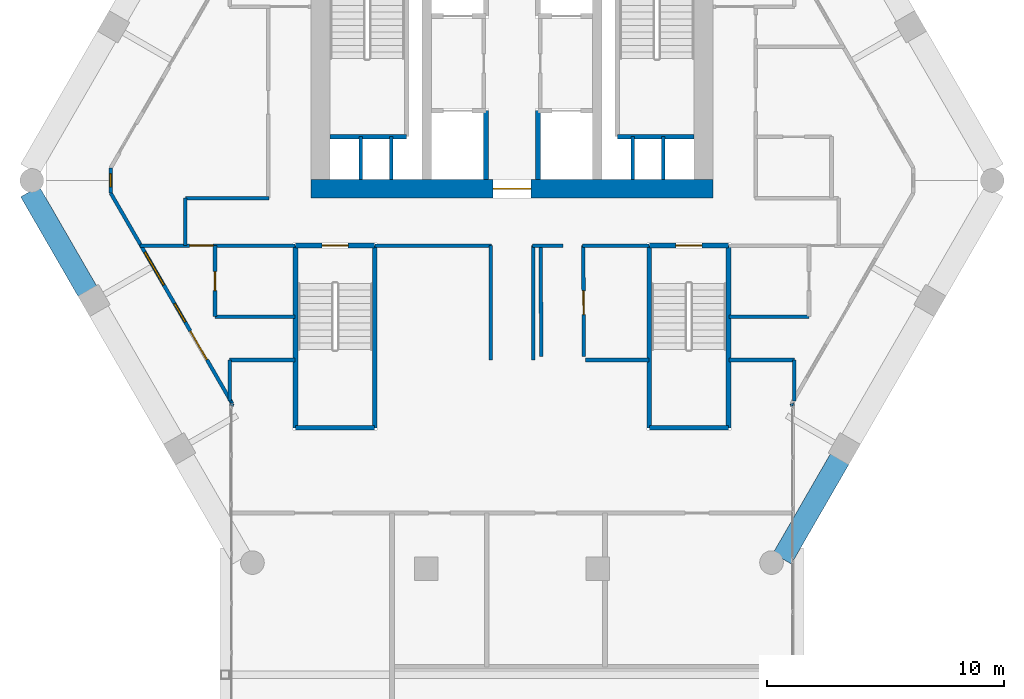
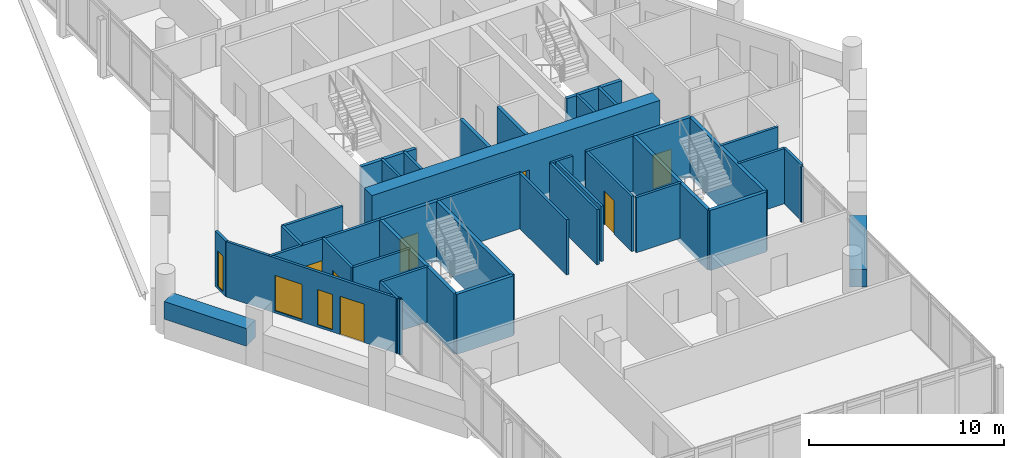
# One storey, part 32 of 38: 41 walls, 7 doors, 3 windows, 10 openings.
"""IFC4 building model written with IfcOpenShell, lengths in metres."""

from ifc_helpers import new_model, si_unit, direction, frame, frame_2d, origin, place, context, subcontext, project, spatial, rectangle, extrude, material, layer, layer_set, type_object, element, fill, save


model = new_model("IFC4")

# Units and contexts
model_context = context("Model", 3, precision=1e-05, world=origin(), true_north=direction((0.0, 1.0)))
body_context = subcontext(model_context, "Body", "Model", "MODEL_VIEW")
ifc_project = project(units=[si_unit("LENGTHUNIT", "METRE"), si_unit("AREAUNIT", "SQUARE_METRE"), si_unit("VOLUMEUNIT", "CUBIC_METRE"), si_unit("PLANEANGLEUNIT", "RADIAN"), si_unit("MASSUNIT", "GRAM", prefix="KILO")], contexts=[model_context])

# Site, building, storey
site_placement = place(None, origin())
site = spatial("IfcSite", under=ifc_project, at=site_placement, CompositionType="ELEMENT")
building_placement = place(site_placement, origin())
building = spatial("IfcBuilding", under=site, at=building_placement, Name="Ostrander Bayou Hotel Tower", CompositionType="ELEMENT")
storey_placement = place(building_placement, frame((0.0, 0.0, 194.5)))
storey = spatial("IfcBuildingStorey", under=building, at=storey_placement, Name="L48", CompositionType="ELEMENT", Elevation=194.5)

# Wall, opening, door
ifc_material_1 = material(Name="Concrete f'c 60 MPa", Category="concrete")
ifc_layer_1 = layer(ifc_material_1, 0.800048828125)
ifc_layer_set_1 = layer_set([ifc_layer_1], Name="CW7 core wall 800 mm f'c 60 MPa")
wall_type_1 = type_object("IfcWallType", Name="CW7 core wall 800 mm f'c 60 MPa", PredefinedType="SHEAR", material=ifc_layer_set_1)
wall_1_placement = place(storey_placement, frame((-8.5, -1.300048828125, -0.300048828125), z_axis=(0.0, 0.0, 1.0), x_axis=(1.0, 0.0, 0.0)))
wall_1 = element("IfcWall", 1, at=wall_1_placement, inside=storey, type_object=wall_type_1, Name="CW7 L48 S", PredefinedType="SHEAR", context=body_context, shape_type="SweptSolid", body=[
    extrude(rectangle(XDim=17.0, YDim=0.800048828125, at=frame_2d((8.5, 0.0))), origin(), (0.0, 0.0, 1.0), 3.75),
])
opening_1_placement = place(wall_1_placement, frame((7.699951171875, 0.0, 0.0)))
opening_1 = element("IfcOpeningElement", 2, at=opening_1_placement, cuts=wall_1, Name="Opening T48-005", PredefinedType="OPENING", context=body_context, shape_type="SweptSolid", body=[
    extrude(rectangle(XDim=1.60009765625, YDim=2.10009765625, at=frame_2d((0.800048828125, 1.050048828125))), frame((0.0, 0.39990234375, 0.0), z_axis=(0.0, -1.0, 0.0), x_axis=(1.0, 0.0, 0.0)), (0.0, 0.0, 1.0), 0.800048828125),
])
ifc_material_2 = material(Name="Timber door leaf", Category="wood")
door_type_1 = type_object("IfcDoorType", Name="D13 double door 1600 x 2100 mm, 1 hour", OperationType="SINGLE_SWING_LEFT", PredefinedType="DOOR", material=ifc_material_2)
door_1_placement = place(opening_1_placement, origin())
door_1 = element("IfcDoor", 3, at=door_1_placement, inside=storey, type_object=door_type_1, Name="dr:L48:005", OperationType="DOUBLE_DOOR_SINGLE_SWING", OverallHeight=2.10009765625, OverallWidth=1.60009765625, PredefinedType="DOOR", context=body_context, shape_type="SweptSolid", body=[
    extrude(rectangle(XDim=1.60009765625, YDim=2.10009765625, at=frame_2d((0.800048828125, 1.050048828125))), frame((0.0, 0.02490234375, 0.0), z_axis=(0.0, -1.0, 0.0), x_axis=(1.0, 0.0, 0.0)), (0.0, 0.0, 1.0), 0.050048828125),
])
fill(opening_1, door_1)

# Wall, openings, door, windows
ifc_material_3 = material(Name="Aluminium framed insulated wall", Category="aluminium")
ifc_layer_2 = layer(ifc_material_3, 0.14990234375)
ifc_layer_set_2 = layer_set([ifc_layer_2], Name="GW1 glass-line wall 150 mm")
wall_type_2 = type_object("IfcWallType", Name="GW1 glass-line wall 150 mm", PredefinedType="SOLIDWALL", material=ifc_layer_set_2)
wall_2_placement = place(storey_placement, frame((-16.955810546875, -1.481689453125, 0.0), z_axis=(0.0, 0.0, 1.0), x_axis=(0.499996992154, -0.866027140358, 0.0)))
wall_2 = element("IfcWall", 4, at=wall_2_placement, inside=storey, type_object=wall_type_2, Name="GW1 L48 SW 1", PredefinedType="SOLIDWALL", context=body_context, shape_type="SweptSolid", body=[
    extrude(rectangle(XDim=10.263671875, YDim=0.14990234375, at=frame_2d((5.1318359375, 0.0))), origin(), (0.0, 0.0, 1.0), 3.449951171875),
])
opening_2_placement = place(wall_2_placement, frame((2.885498046875, 0.0, 0.14990234375)))
opening_2 = element("IfcOpeningElement", 5, at=opening_2_placement, cuts=wall_2, Name="Opening W9", PredefinedType="OPENING", context=body_context, shape_type="SweptSolid", body=[
    extrude(rectangle(XDim=1.60009765625, YDim=2.199951171875, at=frame_2d((0.800048828125, 1.10009765625))), frame((0.0, 0.074951171875, 0.0), z_axis=(0.0, -1.0, 0.0), x_axis=(1.0, 0.0, 0.0)), (0.0, 0.0, 1.0), 0.14990234375),
])
opening_3_placement = place(wall_2_placement, frame((5.394775390625, 0.0, 0.14990234375)))
opening_3 = element("IfcOpeningElement", 6, at=opening_3_placement, cuts=wall_2, Name="Opening W17", PredefinedType="OPENING", context=body_context, shape_type="SweptSolid", body=[
    extrude(rectangle(XDim=0.89990234375, YDim=2.199951171875, at=frame_2d((0.449951171875, 1.10009765625))), frame((0.0, 0.074951171875, 0.0), z_axis=(0.0, -1.0, 0.0), x_axis=(1.0, 0.0, 0.0)), (0.0, 0.0, 1.0), 0.14990234375),
])
opening_4_placement = place(wall_2_placement, frame((6.72998046875, 0.0, 0.0)))
opening_4 = element("IfcOpeningElement", 7, at=opening_4_placement, cuts=wall_2, Name="Opening T48-802", PredefinedType="OPENING", context=body_context, shape_type="SweptSolid", body=[
    extrude(rectangle(XDim=1.39990234375, YDim=2.39990234375, at=frame_2d((0.699951171875, 1.199951171875))), frame((0.0, 0.074951171875, 0.0), z_axis=(0.0, -1.0, 0.0), x_axis=(1.0, 0.0, 0.0)), (0.0, 0.0, 1.0), 0.14990234375),
])
ifc_material_4 = material(Name="Aluminium and clear glass", Category="aluminium")
door_type_2 = type_object("IfcDoorType", Name="SD3 sliding glass door 1400 mm, zone 3", OperationType="SLIDING_TO_LEFT", PredefinedType="DOOR", material=ifc_material_4)
door_2_placement = place(opening_4_placement, origin())
door_2 = element("IfcDoor", 8, at=door_2_placement, inside=storey, type_object=door_type_2, Name="SD3 L48 SW 2", OperationType="SLIDING_TO_RIGHT", OverallHeight=2.39990234375, OverallWidth=1.39990234375, PredefinedType="DOOR", context=body_context, shape_type="SweptSolid", body=[
    extrude(rectangle(XDim=1.39990234375, YDim=2.39990234375, at=frame_2d((0.699951171875, 1.199951171875))), frame((0.0, 0.02490234375, 0.0), z_axis=(0.0, -1.0, 0.0), x_axis=(1.0, 0.0, 0.0)), (0.0, 0.0, 1.0), 0.050048828125),
])
fill(opening_4, door_2)
ifc_material_5 = material(Name="Aluminium and clear glass", Category="aluminium")
window_type_1 = type_object("IfcWindowType", Name="W17 window 900 mm, zone 3", PartitioningType="SINGLE_PANEL", PredefinedType="WINDOW", material=ifc_material_5)
window_1_placement = place(opening_3_placement, origin())
window_1 = element("IfcWindow", 9, at=window_1_placement, inside=storey, type_object=window_type_1, Name="W17 L48 SW 2", OverallHeight=2.199951171875, OverallWidth=0.89990234375, PartitioningType="SINGLE_PANEL", PredefinedType="WINDOW", context=body_context, shape_type="SweptSolid", body=[
    extrude(rectangle(XDim=0.89990234375, YDim=2.199951171875, at=frame_2d((0.449951171875, 1.10009765625))), frame((0.0, 0.030029296875, 0.0), z_axis=(0.0, -1.0, 0.0), x_axis=(1.0, 0.0, 0.0)), (0.0, 0.0, 1.0), 0.06005859375),
])
fill(opening_3, window_1)
ifc_material_6 = material(Name="Aluminium and clear glass", Category="aluminium")
window_type_2 = type_object("IfcWindowType", Name="W9 fixed window 1600 mm, bar storeys, zone 3", PartitioningType="SINGLE_PANEL", PredefinedType="WINDOW", material=ifc_material_6)
window_2_placement = place(opening_2_placement, origin())
window_2 = element("IfcWindow", 10, at=window_2_placement, inside=storey, type_object=window_type_2, Name="W9 L48 SW 1", OverallHeight=2.199951171875, OverallWidth=1.60009765625, PartitioningType="SINGLE_PANEL", PredefinedType="WINDOW", context=body_context, shape_type="SweptSolid", body=[
    extrude(rectangle(XDim=1.60009765625, YDim=2.199951171875, at=frame_2d((0.800048828125, 1.10009765625))), frame((0.0, 0.030029296875, 0.0), z_axis=(0.0, -1.0, 0.0), x_axis=(1.0, 0.0, 0.0)), (0.0, 0.0, 1.0), 0.06005859375),
])
fill(opening_2, window_2)

# Wall, opening, window
wall_3_placement = place(storey_placement, frame((-16.955810546875, -0.416748046875, 0.0), z_axis=(0.0, 0.0, 1.0), x_axis=(0.0, -1.0, 0.0)))
wall_3 = element("IfcWall", 11, at=wall_3_placement, inside=storey, type_object=wall_type_2, Name="GW1 L48 corner 2", PredefinedType="SOLIDWALL", context=body_context, shape_type="SweptSolid", body=[
    extrude(rectangle(XDim=1.06494140625, YDim=0.14990234375, at=frame_2d((0.532470703125, 0.0))), origin(), (0.0, 0.0, 1.0), 3.449951171875),
])
opening_5_placement = place(wall_3_placement, frame((0.257568359375, 0.0, 0.14990234375)))
opening_5 = element("IfcOpeningElement", 12, at=opening_5_placement, cuts=wall_3, Name="Opening W19", PredefinedType="OPENING", context=body_context, shape_type="SweptSolid", body=[
    extrude(rectangle(XDim=0.550048828125, YDim=2.199951171875, at=frame_2d((0.27490234375, 1.10009765625))), frame((0.0, 0.074951171875, 0.0), z_axis=(0.0, -1.0, 0.0), x_axis=(1.0, 0.0, 0.0)), (0.0, 0.0, 1.0), 0.14990234375),
])
ifc_material_7 = material(Name="Aluminium and clear glass", Category="aluminium")
window_type_3 = type_object("IfcWindowType", Name="W19 corner window 550 mm", PartitioningType="SINGLE_PANEL", PredefinedType="WINDOW", material=ifc_material_7)
window_3_placement = place(opening_5_placement, origin())
window_3 = element("IfcWindow", 13, at=window_3_placement, inside=storey, type_object=window_type_3, Name="W19 L48 corner 2", OverallHeight=2.199951171875, OverallWidth=0.550048828125, PartitioningType="SINGLE_PANEL", PredefinedType="WINDOW", context=body_context, shape_type="SweptSolid", body=[
    extrude(rectangle(XDim=0.550048828125, YDim=2.199951171875, at=frame_2d((0.27490234375, 1.10009765625))), frame((0.0, 0.030029296875, 0.0), z_axis=(0.0, -1.0, 0.0), x_axis=(1.0, 0.0, 0.0)), (0.0, 0.0, 1.0), 0.06005859375),
])
fill(opening_5, window_3)

# Walls
for number, where, z_axis, x_axis, name in (
    (14, (-11.823974609375, -10.370361328125, 0.0), (0.0, 0.0, 1.0), (-0.338543167143, -0.940950861619, 0.0), "GW1 L48 bar joint 2"),
    (15, (11.823974609375, -10.370361328125, 0.0), (0.0, 0.0, 1.0), (0.338543167143, -0.940950861619, 0.0), "GW1 L48 bar joint 3"),
):
    element("IfcWall", number, at=place(storey_placement, frame(where, z_axis=z_axis, x_axis=x_axis)), inside=storey, type_object=wall_type_2, Name=name, PredefinedType="SOLIDWALL", context=body_context, shape_type="SweptSolid", body=[
        extrude(rectangle(XDim=0.09814453125, YDim=0.14990234375, at=frame_2d((0.049072265625, 0.0))), origin(), (0.0, 0.0, 1.0), 3.449951171875),
    ])
ifc_material_8 = material(Name="Limestone masonry", Category="masonry")
ifc_layer_3 = layer(ifc_material_8, 0.89990234375)
ifc_layer_set_3 = layer_set([ifc_layer_3], Name="PA2 limestone parapet 900 mm")
wall_type_3 = type_object("IfcWallType", Name="PA2 limestone parapet 900 mm", PredefinedType="PARAPET", material=ifc_layer_set_3)
for number, where, z_axis, x_axis, name in (
    (16, (-20.36962890625, -1.4189453125, 0.0), (0.0, 0.0, 1.0), (0.500033586455, -0.866006011767, 0.0), "PA2 L48 SW-1"),
    (17, (11.41357421875, -16.93115234375, 0.0), (0.0, 0.0, 1.0), (0.499974254476, 0.866040267459, 0.0), "PA2 L48 SE-1"),
):
    element("IfcWall", number, at=place(storey_placement, frame(where, z_axis=z_axis, x_axis=x_axis)), inside=storey, type_object=wall_type_3, Name=name, PredefinedType="PARAPET", context=body_context, shape_type="SweptSolid", body=[
        extrude(rectangle(XDim=4.867919921875, YDim=0.89990234375, at=frame_2d((2.43408203125, 0.0))), origin(), (0.0, 0.0, 1.0), 1.10009765625),
    ])
ifc_material_9 = material(Name="Masonry block", Category="masonry")
ifc_layer_4 = layer(ifc_material_9, 0.199951171875)
ifc_layer_set_4 = layer_set([ifc_layer_4], Name="PT6 lift shaft wall 200 mm masonry, 2 hour")
wall_type_4 = type_object("IfcWallType", Name="PT6 lift shaft wall 200 mm masonry, 2 hour", PredefinedType="PARTITIONING", material=ifc_layer_set_4)
for number, where, z_axis, x_axis, name in (
    (18, (-1.10009765625, -0.89990234375, 0.0), (0.0, 0.0, 1.0), (0.0, 1.0, 0.0), "cs:L48:005"),
    (19, (1.10009765625, -0.89990234375, 0.0), (0.0, 0.0, 1.0), (0.0, 1.0, 0.0), "cs:L48:006"),
):
    element("IfcWall", number, at=place(storey_placement, frame(where, z_axis=z_axis, x_axis=x_axis)), inside=storey, type_object=wall_type_4, Name=name, PredefinedType="PARTITIONING", context=body_context, shape_type="SweptSolid", body=[
        extrude(rectangle(XDim=2.89990234375, YDim=0.199951171875, at=frame_2d((1.449951171875, 0.0))), origin(), (0.0, 0.0, 1.0), 3.449951171875),
    ])
ifc_material_10 = material(Name="Gypsum board partition", Category="finish")
ifc_layer_5 = layer(ifc_material_10, 0.14990234375)
ifc_layer_set_5 = layer_set([ifc_layer_5], Name="PT7 riser wall 150 mm, 2 hour")
wall_type_5 = type_object("IfcWallType", Name="PT7 riser wall 150 mm, 2 hour", PredefinedType="PARTITIONING", material=ifc_layer_set_5)
for number, where, z_axis, x_axis, name in (
    (20, (-6.39990234375, -0.89990234375, 0.0), (0.0, 0.0, 1.0), (0.0, 1.0, 0.0), "cs:L48:011"),
    (21, (-5.10009765625, -0.89990234375, 0.0), (0.0, 0.0, 1.0), (0.0, 1.0, 0.0), "cs:L48:012"),
    (22, (5.10009765625, -0.89990234375, 0.0), (0.0, 0.0, 1.0), (0.0, 1.0, 0.0), "cs:L48:015"),
    (23, (6.39990234375, -0.89990234375, 0.0), (0.0, 0.0, 1.0), (0.0, 1.0, 0.0), "cs:L48:016"),
):
    element("IfcWall", number, at=place(storey_placement, frame(where, z_axis=z_axis, x_axis=x_axis)), inside=storey, type_object=wall_type_5, Name=name, PredefinedType="PARTITIONING", context=body_context, shape_type="SweptSolid", body=[
        extrude(rectangle(XDim=1.7998046875, YDim=0.14990234375, at=frame_2d((0.89990234375, 0.0))), origin(), (0.0, 0.0, 1.0), 3.449951171875),
    ])
ifc_material_11 = material(Name="Gypsum board partition", Category="finish")
ifc_layer_6 = layer(ifc_material_11, 0.14990234375)
ifc_layer_set_6 = layer_set([ifc_layer_6], Name="PT8 service band wall 150 mm, 1 hour")
wall_type_6 = type_object("IfcWallType", Name="PT8 service band wall 150 mm, 1 hour", PredefinedType="PARTITIONING", material=ifc_layer_set_6)
wall_4_placement = place(storey_placement, frame((-11.929931640625, -8.534912109375, 0.0), z_axis=(0.0, 0.0, 1.0), x_axis=(1.0, 0.0, 0.0)))
element("IfcWall", 24, at=wall_4_placement, inside=storey, type_object=wall_type_6, Name="gw:L48:001", PredefinedType="PARTITIONING", context=body_context, shape_type="SweptSolid", body=[
    extrude(rectangle(XDim=2.77001953125, YDim=0.14990234375, at=frame_2d((1.385009765625, 0.0))), origin(), (0.0, 0.0, 1.0), 3.449951171875),
])
wall_5_placement = place(storey_placement, frame((3.114990234375, -8.534912109375, 0.0), z_axis=(0.0, 0.0, 1.0), x_axis=(1.0, 0.0, 0.0)))
element("IfcWall", 25, at=wall_5_placement, inside=storey, type_object=wall_type_6, Name="gw:L48:003", PredefinedType="PARTITIONING", context=body_context, shape_type="SweptSolid", body=[
    extrude(rectangle(XDim=2.675048828125, YDim=0.14990234375, at=frame_2d((1.33740234375, 0.0))), origin(), (0.0, 0.0, 1.0), 3.449951171875),
])
wall_6_placement = place(storey_placement, frame((9.159912109375, -8.534912109375, 0.0), z_axis=(0.0, 0.0, 1.0), x_axis=(1.0, 0.0, 0.0)))
element("IfcWall", 26, at=wall_6_placement, inside=storey, type_object=wall_type_6, Name="gw:L48:004", PredefinedType="PARTITIONING", context=body_context, shape_type="SweptSolid", body=[
    extrude(rectangle(XDim=2.77001953125, YDim=0.14990234375, at=frame_2d((1.385009765625, 0.0))), origin(), (0.0, 0.0, 1.0), 3.449951171875),
])
for number, where, z_axis, x_axis, name in (
    (27, (-12.550048828125, -6.699951171875, 0.0), (0.0, 0.0, 1.0), (1.0, 0.0, 0.0), "gw:L48:005"),
    (28, (9.159912109375, -6.699951171875, 0.0), (0.0, 0.0, 1.0), (1.0, 0.0, 0.0), "gw:L48:006"),
):
    element("IfcWall", number, at=place(storey_placement, frame(where, z_axis=z_axis, x_axis=x_axis)), inside=storey, type_object=wall_type_6, Name=name, PredefinedType="PARTITIONING", context=body_context, shape_type="SweptSolid", body=[
        extrude(rectangle(XDim=3.39013671875, YDim=0.14990234375, at=frame_2d((1.695068359375, 0.0))), origin(), (0.0, 0.0, 1.0), 3.449951171875),
    ])

# Wall, opening, door
wall_7_placement = place(storey_placement, frame((-15.72705078125, -3.699951171875, 0.0), z_axis=(0.0, 0.0, 1.0), x_axis=(1.0, 0.0, 0.0)))
wall_7 = element("IfcWall", 29, at=wall_7_placement, inside=storey, type_object=wall_type_6, Name="gw:L48:007", PredefinedType="PARTITIONING", context=body_context, shape_type="SweptSolid", body=[
    extrude(rectangle(XDim=6.567138671875, YDim=0.14990234375, at=frame_2d((3.28369140625, 0.0))), origin(), (0.0, 0.0, 1.0), 3.449951171875),
])
opening_6_placement = place(wall_7_placement, frame((2.10205078125, 0.0, 0.0)))
opening_6 = element("IfcOpeningElement", 30, at=opening_6_placement, cuts=wall_7, Name="Opening T48-400", PredefinedType="OPENING", context=body_context, shape_type="SweptSolid", body=[
    extrude(rectangle(XDim=1.0, YDim=2.10009765625, at=frame_2d((0.5, 1.050048828125))), frame((0.0, 0.074951171875, 0.0), z_axis=(0.0, -1.0, 0.0), x_axis=(1.0, 0.0, 0.0)), (0.0, 0.0, 1.0), 0.14990234375),
])
ifc_material_12 = material(Name="Timber door leaf", Category="wood")
door_type_3 = type_object("IfcDoorType", Name="D1 guest room door 1000 x 2100 mm, 30 minute", OperationType="SINGLE_SWING_LEFT", PredefinedType="DOOR", material=ifc_material_12)
door_3_placement = place(opening_6_placement, origin())
door_3 = element("IfcDoor", 31, at=door_3_placement, inside=storey, type_object=door_type_3, Name="dr:L48:400", OperationType="SINGLE_SWING_LEFT", OverallHeight=2.10009765625, OverallWidth=1.0, PredefinedType="DOOR", context=body_context, shape_type="SweptSolid", body=[
    extrude(rectangle(XDim=1.0, YDim=2.10009765625, at=frame_2d((0.5, 1.050048828125))), frame((0.0, 0.02490234375, 0.0), z_axis=(0.0, -1.0, 0.0), x_axis=(1.0, 0.0, 0.0)), (0.0, 0.0, 1.0), 0.050048828125),
])
fill(opening_6, door_3)

# Walls
wall_8_placement = place(storey_placement, frame((-5.7900390625, -3.699951171875, 0.0), z_axis=(0.0, 0.0, 1.0), x_axis=(1.0, 0.0, 0.0)))
element("IfcWall", 32, at=wall_8_placement, inside=storey, type_object=wall_type_6, Name="gw:L48:008", PredefinedType="PARTITIONING", context=body_context, shape_type="SweptSolid", body=[
    extrude(rectangle(XDim=4.929931640625, YDim=0.14990234375, at=frame_2d((2.46484375, 0.0))), origin(), (0.0, 0.0, 1.0), 3.449951171875),
])
wall_9_placement = place(storey_placement, frame((0.860107421875, -3.699951171875, 0.0), z_axis=(0.0, 0.0, 1.0), x_axis=(1.0, 0.0, 0.0)))
element("IfcWall", 33, at=wall_9_placement, inside=storey, type_object=wall_type_6, Name="gw:L48:009", PredefinedType="PARTITIONING", context=body_context, shape_type="SweptSolid", body=[
    extrude(rectangle(XDim=1.294921875, YDim=0.14990234375, at=frame_2d((0.6474609375, 0.0))), origin(), (0.0, 0.0, 1.0), 3.449951171875),
])
wall_10_placement = place(storey_placement, frame((2.97509765625, -3.699951171875, 0.0), z_axis=(0.0, 0.0, 1.0), x_axis=(1.0, 0.0, 0.0)))
element("IfcWall", 34, at=wall_10_placement, inside=storey, type_object=wall_type_6, Name="gw:L48:010", PredefinedType="PARTITIONING", context=body_context, shape_type="SweptSolid", body=[
    extrude(rectangle(XDim=2.81494140625, YDim=0.14990234375, at=frame_2d((1.407470703125, 0.0))), origin(), (0.0, 0.0, 1.0), 3.449951171875),
])
wall_11_placement = place(storey_placement, frame((-13.800048828125, -1.699951171875, 0.0), z_axis=(0.0, 0.0, 1.0), x_axis=(1.0, 0.0, 0.0)))
element("IfcWall", 35, at=wall_11_placement, inside=storey, type_object=wall_type_6, Name="gw:L48:012", PredefinedType="PARTITIONING", context=body_context, shape_type="SweptSolid", body=[
    extrude(rectangle(XDim=3.5400390625, YDim=0.14990234375, at=frame_2d((1.77001953125, 0.0))), origin(), (0.0, 0.0, 1.0), 3.449951171875),
])
wall_12_placement = place(storey_placement, frame((11.929931640625, -10.277099609375, 0.0), z_axis=(0.0, 0.0, 1.0), x_axis=(0.0, 1.0, 0.0)))
element("IfcWall", 36, at=wall_12_placement, inside=storey, type_object=wall_type_6, Name="gw:L48:021", PredefinedType="PARTITIONING", context=body_context, shape_type="SweptSolid", body=[
    extrude(rectangle(XDim=1.7421875, YDim=0.14990234375, at=frame_2d((0.87109375, 0.0))), origin(), (0.0, 0.0, 1.0), 3.449951171875),
])
for number, where, z_axis, x_axis, name in (
    (37, (0.89990234375, -8.534912109375, 0.0), (0.0, 0.0, 1.0), (0.0, 1.0, 0.0), "gw:L48:024"),
    (38, (-0.89990234375, -8.534912109375, 0.0), (0.0, 0.0, 1.0), (0.0, 1.0, 0.0), "gw:L48:025"),
):
    element("IfcWall", number, at=place(storey_placement, frame(where, z_axis=z_axis, x_axis=x_axis)), inside=storey, type_object=wall_type_6, Name=name, PredefinedType="PARTITIONING", context=body_context, shape_type="SweptSolid", body=[
        extrude(rectangle(XDim=4.8349609375, YDim=0.14990234375, at=frame_2d((2.41748046875, 0.0))), origin(), (0.0, 0.0, 1.0), 3.449951171875),
    ])
wall_13_placement = place(storey_placement, frame((-11.929931640625, -10.277099609375, 0.0), z_axis=(0.0, 0.0, 1.0), x_axis=(0.0, 1.0, 0.0)))
element("IfcWall", 39, at=wall_13_placement, inside=storey, type_object=wall_type_6, Name="gw:L48:027", PredefinedType="PARTITIONING", context=body_context, shape_type="SweptSolid", body=[
    extrude(rectangle(XDim=1.7421875, YDim=0.14990234375, at=frame_2d((0.87109375, 0.0))), origin(), (0.0, 0.0, 1.0), 3.449951171875),
])

# Wall, opening, door
wall_14_placement = place(storey_placement, frame((-12.550048828125, -6.699951171875, 0.0), z_axis=(0.0, 0.0, 1.0), x_axis=(0.0, 1.0, 0.0)))
wall_14 = element("IfcWall", 40, at=wall_14_placement, inside=storey, type_object=wall_type_6, Name="gw:L48:029", PredefinedType="PARTITIONING", context=body_context, shape_type="SweptSolid", body=[
    extrude(rectangle(XDim=3.0, YDim=0.14990234375, at=frame_2d((1.5, 0.0))), origin(), (0.0, 0.0, 1.0), 3.449951171875),
])
opening_7_placement = place(wall_14_placement, frame((1.10009765625, 0.0, 0.0)))
opening_7 = element("IfcOpeningElement", 41, at=opening_7_placement, cuts=wall_14, Name="Opening T48-401", PredefinedType="OPENING", context=body_context, shape_type="SweptSolid", body=[
    extrude(rectangle(XDim=0.800048828125, YDim=2.10009765625, at=frame_2d((0.39990234375, 1.050048828125))), frame((0.0, 0.074951171875, 0.0), z_axis=(0.0, -1.0, 0.0), x_axis=(1.0, 0.0, 0.0)), (0.0, 0.0, 1.0), 0.14990234375),
])
ifc_material_13 = material(Name="Timber door leaf", Category="wood")
door_type_4 = type_object("IfcDoorType", Name="D2 bathroom door 800 x 2100 mm", OperationType="SINGLE_SWING_LEFT", PredefinedType="DOOR", material=ifc_material_13)
door_4_placement = place(opening_7_placement, origin())
door_4 = element("IfcDoor", 42, at=door_4_placement, inside=storey, type_object=door_type_4, Name="dr:L48:401", OperationType="SINGLE_SWING_RIGHT", OverallHeight=2.10009765625, OverallWidth=0.800048828125, PredefinedType="DOOR", context=body_context, shape_type="SweptSolid", body=[
    extrude(rectangle(XDim=0.800048828125, YDim=2.10009765625, at=frame_2d((0.39990234375, 1.050048828125))), frame((0.0, 0.02490234375, 0.0), z_axis=(0.0, -1.0, 0.0), x_axis=(1.0, 0.0, 0.0)), (0.0, 0.0, 1.0), 0.050048828125),
])
fill(opening_7, door_4)

# Wall
wall_15_placement = place(storey_placement, frame((-13.800048828125, -3.699951171875, 0.0), z_axis=(0.0, 0.0, 1.0), x_axis=(0.0, 1.0, 0.0)))
element("IfcWall", 43, at=wall_15_placement, inside=storey, type_object=wall_type_6, Name="gw:L48:030", PredefinedType="PARTITIONING", context=body_context, shape_type="SweptSolid", body=[
    extrude(rectangle(XDim=2.0, YDim=0.14990234375, at=frame_2d((1.0, 0.0))), origin(), (0.0, 0.0, 1.0), 3.449951171875),
])

# Wall, opening, door
wall_16_placement = place(storey_placement, frame((3.033935546875, -8.39501953125, 0.0), z_axis=(0.0, 0.0, 1.0), x_axis=(-0.004055917967, 0.999991774731, 0.0)))
wall_16 = element("IfcWall", 44, at=wall_16_placement, inside=storey, type_object=wall_type_6, Name="gw:L48:031", PredefinedType="PARTITIONING", context=body_context, shape_type="SweptSolid", body=[
    extrude(rectangle(XDim=4.695068359375, YDim=0.14990234375, at=frame_2d((2.34765625, 0.0))), origin(), (0.0, 0.0, 1.0), 3.449951171875),
])
opening_8_placement = place(wall_16_placement, frame((1.778076171875, 0.0, 0.0)))
opening_8 = element("IfcOpeningElement", 45, at=opening_8_placement, cuts=wall_16, Name="Opening T48-402", PredefinedType="OPENING", context=body_context, shape_type="SweptSolid", body=[
    extrude(rectangle(XDim=1.0, YDim=2.10009765625, at=frame_2d((0.5, 1.050048828125))), frame((0.0, 0.074951171875, 0.0), z_axis=(0.0, -1.0, 0.0), x_axis=(1.0, 0.0, 0.0)), (0.0, 0.0, 1.0), 0.14990234375),
])
ifc_material_14 = material(Name="Timber door leaf", Category="wood")
door_type_5 = type_object("IfcDoorType", Name="D9 service door 1000 x 2100 mm, 30 minute", OperationType="SINGLE_SWING_LEFT", PredefinedType="DOOR", material=ifc_material_14)
door_5_placement = place(opening_8_placement, origin())
door_5 = element("IfcDoor", 46, at=door_5_placement, inside=storey, type_object=door_type_5, Name="dr:L48:402", OperationType="SINGLE_SWING_RIGHT", OverallHeight=2.10009765625, OverallWidth=1.0, PredefinedType="DOOR", context=body_context, shape_type="SweptSolid", body=[
    extrude(rectangle(XDim=1.0, YDim=2.10009765625, at=frame_2d((0.5, 1.050048828125))), frame((0.0, 0.02490234375, 0.0), z_axis=(0.0, -1.0, 0.0), x_axis=(1.0, 0.0, 0.0)), (0.0, 0.0, 1.0), 0.050048828125),
])
fill(opening_8, door_5)

# Walls
wall_17_placement = place(storey_placement, frame((1.23388671875, -8.39501953125, 0.0), z_axis=(0.0, 0.0, 1.0), x_axis=(-0.004008296795, 0.999991966746, 0.0)))
element("IfcWall", 47, at=wall_17_placement, inside=storey, type_object=wall_type_6, Name="gw:L48:032", PredefinedType="PARTITIONING", context=body_context, shape_type="SweptSolid", body=[
    extrude(rectangle(XDim=4.68994140625, YDim=0.14990234375, at=frame_2d((2.344970703125, 0.0))), origin(), (0.0, 0.0, 1.0), 3.449951171875),
])
ifc_material_15 = material(Name="Concrete f'c 45 MPa", Category="concrete")
ifc_layer_7 = layer(ifc_material_15, 0.199951171875)
ifc_layer_set_7 = layer_set([ifc_layer_7], Name="SW5 stair enclosure wall 200 mm f'c 45 MPa")
wall_type_7 = type_object("IfcWallType", Name="SW5 stair enclosure wall 200 mm f'c 45 MPa", PredefinedType="SOLIDWALL", material=ifc_layer_set_7)
for number, where, z_axis, x_axis, name in (
    (48, (-7.699951171875, 0.89990234375, -0.300048828125), (0.0, 0.0, 1.0), (1.0, 0.0, 0.0), "cs:L48:010"),
    (49, (4.449951171875, 0.89990234375, -0.300048828125), (0.0, 0.0, 1.0), (1.0, 0.0, 0.0), "cs:L48:014"),
):
    element("IfcWall", number, at=place(storey_placement, frame(where, z_axis=z_axis, x_axis=x_axis)), inside=storey, type_object=wall_type_7, Name=name, PredefinedType="SOLIDWALL", context=body_context, shape_type="SweptSolid", body=[
        extrude(rectangle(XDim=3.25, YDim=0.199951171875, at=frame_2d((1.625, 0.0))), origin(), (0.0, 0.0, 1.0), 3.75),
    ])

# Wall, opening, door
wall_18_placement = place(storey_placement, frame((5.800048828125, -3.699951171875, -0.300048828125), z_axis=(0.0, 0.0, 1.0), x_axis=(1.0, 0.0, 0.0)))
wall_18 = element("IfcWall", 50, at=wall_18_placement, inside=storey, type_object=wall_type_7, Name="cs:L48:017", PredefinedType="SOLIDWALL", context=body_context, shape_type="SweptSolid", body=[
    extrude(rectangle(XDim=3.349853515625, YDim=0.199951171875, at=frame_2d((1.6748046875, 0.0))), origin(), (0.0, 0.0, 1.0), 3.75),
])
opening_9_placement = place(wall_18_placement, frame((1.125, 0.0, 0.0)))
opening_9 = element("IfcOpeningElement", 51, at=opening_9_placement, cuts=wall_18, Name="Opening T48-011", PredefinedType="OPENING", context=body_context, shape_type="SweptSolid", body=[
    extrude(rectangle(XDim=1.10009765625, YDim=2.10009765625, at=frame_2d((0.550048828125, 1.050048828125))), frame((0.0, 0.10009765625, 0.0), z_axis=(0.0, -1.0, 0.0), x_axis=(1.0, 0.0, 0.0)), (0.0, 0.0, 1.0), 0.199951171875),
])
ifc_material_16 = material(Name="Timber door leaf", Category="wood")
door_type_6 = type_object("IfcDoorType", Name="D5 stair door 1100 x 2100 mm, 90 minute", OperationType="SINGLE_SWING_LEFT", PredefinedType="DOOR", material=ifc_material_16)
door_6_placement = place(opening_9_placement, origin())
door_6 = element("IfcDoor", 52, at=door_6_placement, inside=storey, type_object=door_type_6, Name="dr:L48:011", OperationType="SINGLE_SWING_LEFT", OverallHeight=2.10009765625, OverallWidth=1.10009765625, PredefinedType="DOOR", context=body_context, shape_type="SweptSolid", body=[
    extrude(rectangle(XDim=1.10009765625, YDim=2.10009765625, at=frame_2d((0.550048828125, 1.050048828125))), frame((0.0, 0.02490234375, 0.0), z_axis=(0.0, -1.0, 0.0), x_axis=(1.0, 0.0, 0.0)), (0.0, 0.0, 1.0), 0.050048828125),
])
fill(opening_9, door_6)

# Walls
for number, where, z_axis, x_axis, name in (
    (53, (5.800048828125, -3.699951171875, -0.300048828125), (0.0, 0.0, 1.0), (0.0, -1.0, 0.0), "cs:L48:018"),
    (54, (9.14990234375, -3.699951171875, -0.300048828125), (0.0, 0.0, 1.0), (0.0, -1.0, 0.0), "cs:L48:019"),
):
    element("IfcWall", number, at=place(storey_placement, frame(where, z_axis=z_axis, x_axis=x_axis)), inside=storey, type_object=wall_type_7, Name=name, PredefinedType="SOLIDWALL", context=body_context, shape_type="SweptSolid", body=[
        extrude(rectangle(XDim=7.699951171875, YDim=0.199951171875, at=frame_2d((3.85009765625, 0.0))), origin(), (0.0, 0.0, 1.0), 3.75),
    ])
wall_19_placement = place(storey_placement, frame((5.800048828125, -11.39990234375, -0.300048828125), z_axis=(0.0, 0.0, 1.0), x_axis=(1.0, 0.0, 0.0)))
element("IfcWall", 55, at=wall_19_placement, inside=storey, type_object=wall_type_7, Name="cs:L48:020", PredefinedType="SOLIDWALL", context=body_context, shape_type="SweptSolid", body=[
    extrude(rectangle(XDim=3.349853515625, YDim=0.199951171875, at=frame_2d((1.6748046875, 0.0))), origin(), (0.0, 0.0, 1.0), 3.75),
])

# Wall, opening, door
wall_20_placement = place(storey_placement, frame((-9.14990234375, -3.699951171875, -0.300048828125), z_axis=(0.0, 0.0, 1.0), x_axis=(1.0, 0.0, 0.0)))
wall_20 = element("IfcWall", 56, at=wall_20_placement, inside=storey, type_object=wall_type_7, Name="cs:L48:021", PredefinedType="SOLIDWALL", context=body_context, shape_type="SweptSolid", body=[
    extrude(rectangle(XDim=3.349853515625, YDim=0.199951171875, at=frame_2d((1.6748046875, 0.0))), origin(), (0.0, 0.0, 1.0), 3.75),
])
opening_10_placement = place(wall_20_placement, frame((1.125, 0.0, 0.0)))
opening_10 = element("IfcOpeningElement", 57, at=opening_10_placement, cuts=wall_20, Name="Opening T48-012", PredefinedType="OPENING", context=body_context, shape_type="SweptSolid", body=[
    extrude(rectangle(XDim=1.10009765625, YDim=2.10009765625, at=frame_2d((0.550048828125, 1.050048828125))), frame((0.0, 0.10009765625, 0.0), z_axis=(0.0, -1.0, 0.0), x_axis=(1.0, 0.0, 0.0)), (0.0, 0.0, 1.0), 0.199951171875),
])
door_7_placement = place(opening_10_placement, origin())
door_7 = element("IfcDoor", 58, at=door_7_placement, inside=storey, type_object=door_type_6, Name="dr:L48:012", OperationType="SINGLE_SWING_LEFT", OverallHeight=2.10009765625, OverallWidth=1.10009765625, PredefinedType="DOOR", context=body_context, shape_type="SweptSolid", body=[
    extrude(rectangle(XDim=1.10009765625, YDim=2.10009765625, at=frame_2d((0.550048828125, 1.050048828125))), frame((0.0, 0.02490234375, 0.0), z_axis=(0.0, -1.0, 0.0), x_axis=(1.0, 0.0, 0.0)), (0.0, 0.0, 1.0), 0.050048828125),
])
fill(opening_10, door_7)

# Walls
for number, where, z_axis, x_axis, name in (
    (59, (-9.14990234375, -3.699951171875, -0.300048828125), (0.0, 0.0, 1.0), (0.0, -1.0, 0.0), "cs:L48:022"),
    (60, (-5.800048828125, -3.699951171875, -0.300048828125), (0.0, 0.0, 1.0), (0.0, -1.0, 0.0), "cs:L48:023"),
):
    element("IfcWall", number, at=place(storey_placement, frame(where, z_axis=z_axis, x_axis=x_axis)), inside=storey, type_object=wall_type_7, Name=name, PredefinedType="SOLIDWALL", context=body_context, shape_type="SweptSolid", body=[
        extrude(rectangle(XDim=7.699951171875, YDim=0.199951171875, at=frame_2d((3.85009765625, 0.0))), origin(), (0.0, 0.0, 1.0), 3.75),
    ])
wall_21_placement = place(storey_placement, frame((-9.14990234375, -11.39990234375, -0.300048828125), z_axis=(0.0, 0.0, 1.0), x_axis=(1.0, 0.0, 0.0)))
element("IfcWall", 61, at=wall_21_placement, inside=storey, type_object=wall_type_7, Name="cs:L48:024", PredefinedType="SOLIDWALL", context=body_context, shape_type="SweptSolid", body=[
    extrude(rectangle(XDim=3.349853515625, YDim=0.199951171875, at=frame_2d((1.6748046875, 0.0))), origin(), (0.0, 0.0, 1.0), 3.75),
])

save(model, "model.ifc")
